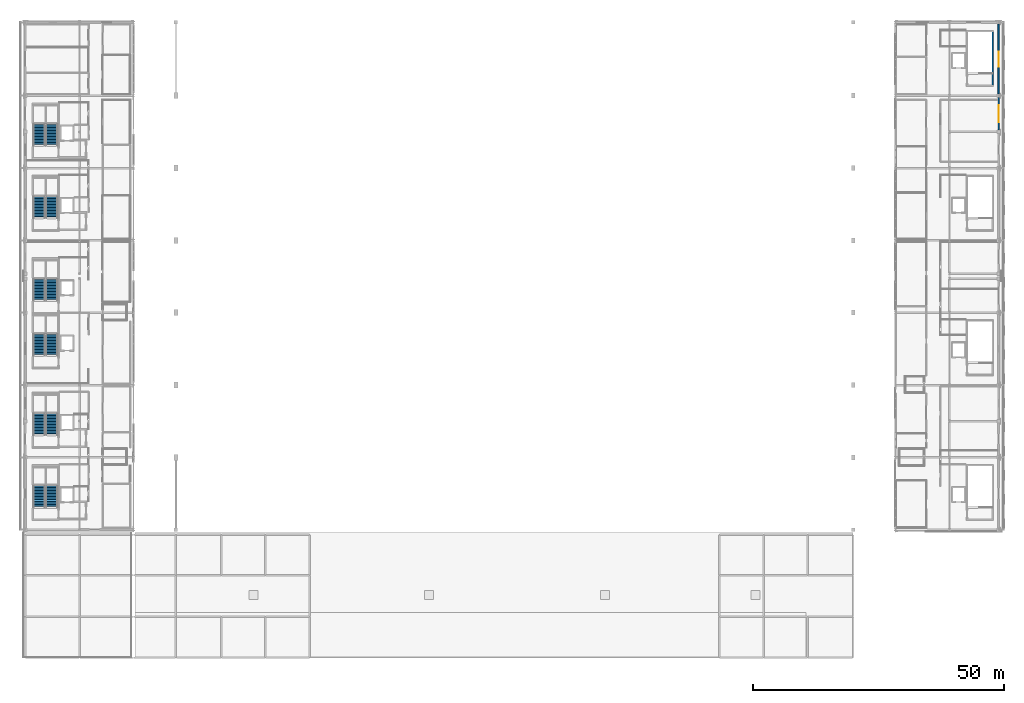
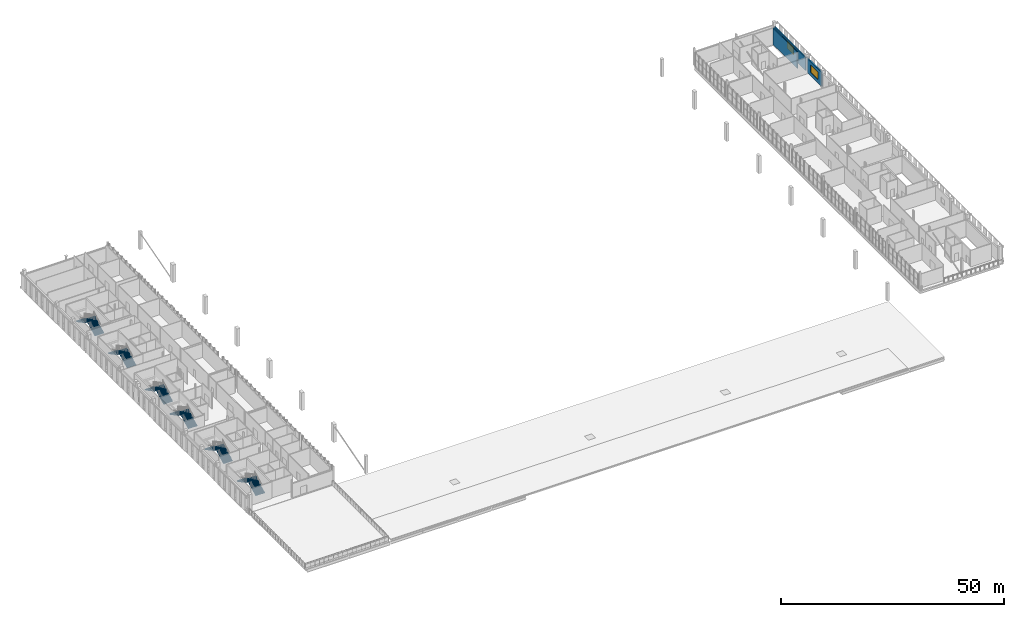
# One storey, part 39 of 51: 12 stair flights, 3 walls, 2 windows, 2 openings, 6 elements without a shape of their own.
"""IFC4 building model written with IfcOpenShell, lengths in metres."""

import ifcopenshell
import ifcopenshell.guid

model = None  # the IFC model being written
_history = None  # IfcOwnerHistory: only IFC2X3 demands one
_inside = {}  # id of a spatial element -> (the spatial element, [elements in it])
_under = {}  # id of a project, library or spatial element -> (it, [spatial elements below it])
_declared = {}  # id of a project -> (the project, [libraries it declares])
_typed = {}  # id of a type object -> (the type object, [elements of that type])
_made_of = {}  # id of a material, layer set ... -> (it, [elements and type objects made of it])


def new_model(schema):
    """Start an empty IFC model of exactly this schema.

    Asked for "IFC4X3", IfcOpenShell would pick the latest addendum, in which some entities
    have other attributes; the version numbers below select the first issue.
    IFC2X3 requires an IfcOwnerHistory on every rooted entity: one is made here for all.
    """
    global model, _history
    if schema == "IFC4X3":
        model = ifcopenshell.file(schema_version=(4, 3, 0, 0))
    else:
        model = ifcopenshell.file(schema=schema)
    _inside.clear()
    _under.clear()
    _declared.clear()
    _typed.clear()
    _made_of.clear()
    _history = None
    if model.schema == "IFC2X3":
        org = make("IfcOrganization", Name="unknown")
        user = make(
            "IfcPersonAndOrganization",
            ThePerson=make("IfcPerson", FamilyName="unknown"),
            TheOrganization=org,
        )
        app = make(
            "IfcApplication",
            ApplicationDeveloper=org,
            Version="unknown",
            ApplicationFullName="unknown",
            ApplicationIdentifier="unknown",
        )
        _history = make(
            "IfcOwnerHistory",
            OwningUser=user,
            OwningApplication=app,
            ChangeAction="ADDED",
            CreationDate=0,
        )
    return model


def make(cls, **values):
    """One entity of the class cls with the attributes given. An attribute that is None is left unset."""
    return model.create_entity(
        cls, **{name: value for name, value in values.items() if value is not None}
    )


def rooted(cls, **values):
    """An entity with a GlobalId (a new one), such as an element, a storey or a relation."""
    return make(cls, GlobalId=ifcopenshell.guid.new(), OwnerHistory=_history, **values)


def si_unit(unit_type, name, prefix=None):
    """IfcSIUnit, for example si_unit("LENGTHUNIT", "METRE", prefix="MILLI")."""
    return make("IfcSIUnit", UnitType=unit_type, Prefix=prefix, Name=name)


def assignment(units):
    """IfcUnitAssignment: the units of a project."""
    return None if units is None else make("IfcUnitAssignment", Units=units)


def point(xyz):
    """IfcCartesianPoint."""
    return None if xyz is None else make("IfcCartesianPoint", Coordinates=xyz)


def direction(xyz):
    """IfcDirection."""
    return None if xyz is None else make("IfcDirection", DirectionRatios=xyz)


def frame(location, z_axis=None, x_axis=None):
    """IfcAxis2Placement3D, a coordinate frame: its origin and axes. An axis left out is left unset."""
    return make(
        "IfcAxis2Placement3D",
        Location=point(location),
        Axis=direction(z_axis),
        RefDirection=direction(x_axis),
    )


def frame_2d(location, x_axis=None):
    """IfcAxis2Placement2D, a coordinate frame in the plane: its origin and x axis."""
    return make(
        "IfcAxis2Placement2D", Location=point(location), RefDirection=direction(x_axis)
    )


def origin():
    """The frame at (0, 0, 0) with its axes left unset."""
    return frame((0.0, 0.0, 0.0))


def place(relative_to, where):
    """IfcLocalPlacement: puts the frame where relative to a parent placement (None: the world)."""
    return make(
        "IfcLocalPlacement", PlacementRelTo=relative_to, RelativePlacement=where
    )


def context(
    kind, dimensions, precision=None, world=None, true_north=None, identifier=None
):
    """IfcGeometricRepresentationContext, for example the 3D "Model" context."""
    return make(
        "IfcGeometricRepresentationContext",
        ContextIdentifier=identifier,
        ContextType=kind,
        CoordinateSpaceDimension=dimensions,
        Precision=precision,
        WorldCoordinateSystem=world,
        TrueNorth=true_north,
    )


def subcontext(parent, identifier, kind, view, scale=None):
    """IfcGeometricRepresentationSubContext, for example "Body" below "Model"."""
    return make(
        "IfcGeometricRepresentationSubContext",
        ContextIdentifier=identifier,
        ContextType=kind,
        ParentContext=parent,
        TargetScale=scale,
        TargetView=view,
    )


def project(units=None, contexts=None):
    """IfcProject with its units and contexts."""
    return rooted(
        "IfcProject",
        Name="project",
        RepresentationContexts=contexts,
        UnitsInContext=assignment(units),
    )


def spatial(cls, under=None, at=None, **own):
    """A site, building, storey or space (cls), placed at a placement, below another one or the project."""
    s = rooted(cls, ObjectPlacement=at, **own)
    if under is not None:
        _under.setdefault(under.id(), (under, []))[1].append(s)
    return s


def polyline(points):
    """IfcPolyline through the points."""
    return make("IfcPolyline", Points=[point(p) for p in points])


def profile(cls, at=None, kind="AREA", **sizes):
    """A parametric profile (cls). Its sizes go by their IFC names, for example OverallWidth=200.0."""
    return make(cls, ProfileType=kind, Position=at, **sizes)


def rectangle(**sizes):
    """IfcRectangleProfileDef."""
    return profile("IfcRectangleProfileDef", **sizes)


def outline(outer, holes=None, kind="AREA"):
    """IfcArbitraryClosedProfileDef: a profile drawn as a closed curve; with holes, ...WithVoids."""
    if holes is None:
        return make("IfcArbitraryClosedProfileDef", ProfileType=kind, OuterCurve=outer)
    return make(
        "IfcArbitraryProfileDefWithVoids",
        ProfileType=kind,
        OuterCurve=outer,
        InnerCurves=holes,
    )


def extrude(swept, where, along, depth):
    """IfcExtrudedAreaSolid: the profile swept, set in the frame where, extruded along a direction by depth."""
    return make(
        "IfcExtrudedAreaSolid",
        SweptArea=swept,
        Position=where,
        ExtrudedDirection=direction(along),
        Depth=depth,
    )


def shape(context_of_items, identifier, shape_type, items):
    """IfcShapeRepresentation: the items that make up one representation, for example the "Body"."""
    return make(
        "IfcShapeRepresentation",
        ContextOfItems=context_of_items,
        RepresentationIdentifier=identifier,
        RepresentationType=shape_type,
        Items=items,
    )


def material(Name=None, Category=None):
    """IfcMaterial."""
    return make("IfcMaterial", Name=Name, Category=Category)


def layer(
    of_material, thickness, ventilated=None, Name=None, Category=None, Priority=None
):
    """IfcMaterialLayer: one layer of a wall or slab, of a material (None: an air gap)."""
    return make(
        "IfcMaterialLayer",
        Material=of_material,
        LayerThickness=thickness,
        IsVentilated=ventilated,
        Name=Name,
        Category=Category,
        Priority=Priority,
    )


def layer_set(layers, Name=None):
    """IfcMaterialLayerSet."""
    return make("IfcMaterialLayerSet", MaterialLayers=layers, LayerSetName=Name)


def made_of(thing, what):
    """Note that an element or type object is made of a material, layer set ...; save() writes the relation."""
    if what is not None:
        _made_of.setdefault(what.id(), (what, []))[1].append(thing)
    return thing


def type_object(cls, material=None, **own):
    """A type object (cls), such as IfcWallType, which elements share."""
    return made_of(rooted(cls, **own), material)


def element(
    cls,
    number,
    at=None,
    inside=None,
    cuts=None,
    type_object=None,
    material=None,
    context=None,
    identifier="Body",
    shape_type=None,
    held_by="IfcProductDefinitionShape",
    body=None,
    shapes=None,
    **own,
):
    """One element of the class cls, such as IfcWall. Its Tag is "e" and its number.

    at: its placement. inside: the storey or other place that contains it. cuts: it is an
    opening in that element (IfcRelVoidsElement). A single representation is given by context,
    identifier, shape_type and body (its items); several are given by shapes. held_by: the class
    of the entity that holds the representations. save() writes the other relations.
    """
    e = rooted(cls, Tag="e%d" % number, ObjectPlacement=at, **own)
    if body is not None:
        shapes = [shape(context, identifier, shape_type, body)]
    if shapes is not None:
        e.Representation = make(held_by, Representations=shapes)
    if inside is not None:
        _inside.setdefault(inside.id(), (inside, []))[1].append(e)
    if cuts is not None:
        rooted(
            "IfcRelVoidsElement", RelatingBuildingElement=cuts, RelatedOpeningElement=e
        )
    if type_object is not None:
        _typed.setdefault(type_object.id(), (type_object, []))[1].append(e)
    return made_of(e, material)


def fill(opening, filler):
    """IfcRelFillsElement: the door or window that sits in an opening."""
    return rooted(
        "IfcRelFillsElement",
        RelatingOpeningElement=opening,
        RelatedBuildingElement=filler,
    )


def aggregate(whole, parts):
    """IfcRelAggregates: a whole, such as a stair, and the parts it consists of."""
    return rooted("IfcRelAggregates", RelatingObject=whole, RelatedObjects=parts)


def save(model, path):
    """Write the relations noted so far, then the file.

    IfcRelAggregates (storeys below a building ...), IfcRelContainedInSpatialStructure (elements
    in a storey), IfcRelDefinesByType, IfcRelAssociatesMaterial and IfcRelDeclares: one each for
    every whole, place, type object, material and project.
    """
    for whole, parts in _under.values():
        aggregate(whole, parts)
    for where, things in _inside.values():
        rooted(
            "IfcRelContainedInSpatialStructure",
            RelatedElements=things,
            RelatingStructure=where,
        )
    for kind, things in _typed.values():
        rooted("IfcRelDefinesByType", RelatedObjects=things, RelatingType=kind)
    for what, things in _made_of.values():
        rooted("IfcRelAssociatesMaterial", RelatedObjects=things, RelatingMaterial=what)
    for by, libraries in _declared.values():
        rooted("IfcRelDeclares", RelatingContext=by, RelatedDefinitions=libraries)
    model.write(path)


model = new_model("IFC4")

# Units and contexts
model_context = context("Model", 3, precision=1e-05, world=origin(), true_north=direction((0.0, 1.0)))
body_context = subcontext(model_context, "Body", "Model", "MODEL_VIEW")
ifc_project = project(units=[si_unit("LENGTHUNIT", "METRE"), si_unit("AREAUNIT", "SQUARE_METRE"), si_unit("VOLUMEUNIT", "CUBIC_METRE"), si_unit("PLANEANGLEUNIT", "RADIAN"), si_unit("MASSUNIT", "GRAM", prefix="KILO")], contexts=[model_context])

# Site, building, storey
site_placement = place(None, origin())
site = spatial("IfcSite", under=ifc_project, at=site_placement, CompositionType="ELEMENT")
building_placement = place(site_placement, origin())
building = spatial("IfcBuilding", under=site, at=building_placement, Name="Koshinbarg Plaza Stadium", CompositionType="ELEMENT")
storey_placement = place(building_placement, frame((0.0, 0.0, 24.60009765625)))
storey = spatial("IfcBuildingStorey", under=building, at=storey_placement, Name="L05", CompositionType="ELEMENT", Elevation=24.60009765625)

# Wall
ifc_material_1 = material(Name="Concrete C40/50", Category="concrete")
ifc_layer_1 = layer(ifc_material_1, 0.25)
ifc_layer_set_1 = layer_set([ifc_layer_1], Name="Concrete C40/50")
wall_type_1 = type_object("IfcWallType", Name="WL-CORE-250", PredefinedType="SHEAR", material=ifc_layer_set_1)
wall_1_placement = place(storey_placement, frame((217.195068359375, 113.875, 0.0), z_axis=(0.0, 0.0, 1.0), x_axis=(0.0, 1.0, 0.0)))
element("IfcWall", 1, at=wall_1_placement, inside=storey, type_object=wall_type_1, Name="L05 core stair shear wall C10-right IWL-L05-0257", PredefinedType="SHEAR", context=body_context, shape_type="SweptSolid", body=[
    extrude(rectangle(XDim=10.85009765625, YDim=0.25, at=frame_2d((5.425048828125, 0.0))), origin(), (0.0, 0.0, 1.0), 4.5),
])

# Wall, opening, window
ifc_material_2 = material(Name="Terracotta-ochre mineral plaster insulated wall", Category="masonry")
ifc_layer_2 = layer(ifc_material_2, 0.280029296875)
ifc_layer_set_2 = layer_set([ifc_layer_2], Name="Terracotta-ochre mineral plaster insulated wall")
wall_type_2 = type_object("IfcWallType", Name="WL-EXT-280", PredefinedType="SOLIDWALL", material=ifc_layer_set_2)
wall_2_placement = place(storey_placement, frame((218.39990234375, 126.155029296875, 0.0), z_axis=(0.0, 0.0, 1.0), x_axis=(0.0, -1.0, 0.0)))
wall_2 = element("IfcWall", 2, at=wall_2_placement, inside=storey, type_object=wall_type_2, Name="L05 exterior envelope wall EWL-L05-0236", PredefinedType="SOLIDWALL", context=body_context, shape_type="SweptSolid", body=[
    extrude(rectangle(XDim=13.909912109375, YDim=0.280029296875, at=frame_2d((6.955078125, 0.0))), origin(), (0.0, 0.0, 1.0), 3.579833984375),
])
opening_1_placement = place(wall_2_placement, frame((5.455078125, 0.0, 0.89990234375)))
opening_1 = element("IfcOpeningElement", 3, at=opening_1_placement, cuts=wall_2, Name="Opening WN17", PredefinedType="OPENING", context=body_context, shape_type="SweptSolid", body=[
    extrude(rectangle(XDim=3.0, YDim=2.10009765625, at=frame_2d((1.5, 1.050048828125))), frame((0.0, 0.14990234375, 0.0), z_axis=(0.0, -1.0, 0.0), x_axis=(1.0, 0.0, 0.0)), (0.0, 0.0, 1.0), 0.300048828125),
])
ifc_material_3 = material(Name="Solar-control double glazing in thermally broken aluminium frame", Category="aluminium")
window_type_1 = type_object("IfcWindowType", Name="WN-FAC-17", PartitioningType="DOUBLE_PANEL_VERTICAL", PredefinedType="WINDOW", material=ifc_material_3)
window_1_placement = place(opening_1_placement, origin())
window_1 = element("IfcWindow", 4, at=window_1_placement, inside=storey, type_object=window_type_1, Name="L05 facade window 0168", OverallHeight=2.10009765625, OverallWidth=3.0, PartitioningType="SINGLE_PANEL", PredefinedType="WINDOW", context=body_context, shape_type="SweptSolid", body=[
    extrude(rectangle(XDim=3.0, YDim=2.10009765625, at=frame_2d((1.5, 1.050048828125))), frame((0.0, 0.030029296875, 0.0), z_axis=(0.0, -1.0, 0.0), x_axis=(1.0, 0.0, 0.0)), (0.0, 0.0, 1.0), 0.06005859375),
])
fill(opening_1, window_1)

ifc_material_4 = material(Name="Off-white mineral plaster insulated wall", Category="masonry")
ifc_layer_3 = layer(ifc_material_4, 0.300048828125)
ifc_layer_set_3 = layer_set([ifc_layer_3], Name="Off-white mineral plaster insulated wall")
wall_type_3 = type_object("IfcWallType", Name="WL-EXT-300", PredefinedType="SOLIDWALL", material=ifc_layer_set_3)
wall_3_placement = place(storey_placement, frame((218.39990234375, 111.554931640625, 0.0), z_axis=(0.0, 0.0, 1.0), x_axis=(0.0, -1.0, 0.0)))
wall_3 = element("IfcWall", 5, at=wall_3_placement, inside=storey, type_object=wall_type_3, Name="L05 exterior envelope wall EWL-L05-0237", PredefinedType="SOLIDWALL", context=body_context, shape_type="SweptSolid", body=[
    extrude(rectangle(XDim=6.510009765625, YDim=0.300048828125, at=frame_2d((3.2548828125, 0.0))), origin(), (0.0, 0.0, 1.0), 3.8798828125),
])
opening_2_placement = place(wall_3_placement, frame((1.554931640625, 0.0, 0.89990234375)))
opening_2 = element("IfcOpeningElement", 6, at=opening_2_placement, cuts=wall_3, Name="Opening WN18", PredefinedType="OPENING", context=body_context, shape_type="SweptSolid", body=[
    extrude(rectangle(XDim=3.39990234375, YDim=2.10009765625, at=frame_2d((1.699951171875, 1.050048828125))), frame((0.0, 0.159912109375, 0.0), z_axis=(0.0, -1.0, 0.0), x_axis=(1.0, 0.0, 0.0)), (0.0, 0.0, 1.0), 0.320068359375),
])
window_type_2 = type_object("IfcWindowType", Name="WN-FAC-18", PartitioningType="DOUBLE_PANEL_VERTICAL", PredefinedType="WINDOW", material=ifc_material_3)
window_2_placement = place(opening_2_placement, origin())
window_2 = element("IfcWindow", 7, at=window_2_placement, inside=storey, type_object=window_type_2, Name="L05 facade window 0169", OverallHeight=2.10009765625, OverallWidth=3.39990234375, PartitioningType="SINGLE_PANEL", PredefinedType="WINDOW", context=body_context, shape_type="SweptSolid", body=[
    extrude(rectangle(XDim=3.39990234375, YDim=2.10009765625, at=frame_2d((1.699951171875, 1.050048828125))), frame((0.0, 0.030029296875, 0.0), z_axis=(0.0, -1.0, 0.0), x_axis=(1.0, 0.0, 0.0)), (0.0, 0.0, 1.0), 0.06005859375),
])
fill(opening_2, window_2)

# Stair, stair flights
ifc_material_5 = material(Name="Concrete C35/45", Category="concrete")
stair_type = type_object("IfcStairType", Name="ST-CORE-48", PredefinedType="HALF_TURN_STAIR", material=ifc_material_5)
stair_1_placement = place(storey_placement, origin())
stair_1 = element("IfcStair", 8, at=stair_1_placement, inside=storey, type_object=stair_type, Name="L05 Protected Exit Stair C01", PredefinedType="HALF_TURN_STAIR")
stair_flight_type = type_object("IfcStairFlightType", Name="SFL-CORE-48", PredefinedType="STRAIGHT", material=ifc_material_5)
stair_flight_1_placement = place(storey_placement, frame((29.889892578125, 29.9599609375, 0.0), z_axis=(0.0, 0.0, 1.0), x_axis=(0.0, 1.0, 0.0)))
stair_flight_1 = element("IfcStairFlight", 9, at=stair_flight_1_placement, type_object=stair_flight_type, Name="L05 Protected Exit Stair C01 flight 011", NumberOfRisers=15, NumberOfTreads=14, PredefinedType="STRAIGHT", RiserHeight=0.16, TreadLength=0.3, context=body_context, shape_type="SweptSolid", body=[
    extrude(outline(polyline([(0.0, 0.0), (0.0, 0.159912109375), (0.300048828125, 0.159912109375), (0.300048828125, 0.320068359375), (0.60009765625, 0.320068359375), (0.60009765625, 0.47998046875), (0.89990234375, 0.47998046875), (0.89990234375, 0.639892578125), (1.199951171875, 0.639892578125), (1.199951171875, 0.800048828125), (1.5, 0.800048828125), (1.5, 0.9599609375), (1.800048828125, 0.9599609375), (1.800048828125, 1.1201171875), (2.10009765625, 1.1201171875), (2.10009765625, 1.280029296875), (2.39990234375, 1.280029296875), (2.39990234375, 1.43994140625), (2.699951171875, 1.43994140625), (2.699951171875, 1.60009765625), (3.0, 1.60009765625), (3.0, 1.760009765625), (3.300048828125, 1.760009765625), (3.300048828125, 1.919921875), (3.60009765625, 1.919921875), (3.60009765625, 2.080078125), (3.89990234375, 2.080078125), (3.89990234375, 2.239990234375), (4.199951171875, 2.239990234375), (4.199951171875, 2.39990234375), (4.199951171875, 2.070068359375), (0.318603515625, 0.0), (0.0, 0.0)])), frame((0.0, 1.18017578125, 0.0), z_axis=(0.0, -1.0, 0.0), x_axis=(1.0, 0.0, 0.0)), (0.0, 0.0, 1.0), 2.360107421875),
])
stair_flight_2_placement = place(storey_placement, frame((27.3798828125, 34.159912109375, 2.39990234375), z_axis=(0.0, 0.0, 1.0), x_axis=(0.0, -1.0, 0.0)))
stair_flight_2 = element("IfcStairFlight", 10, at=stair_flight_2_placement, type_object=stair_flight_type, Name="L05 Protected Exit Stair C01 flight 012", NumberOfRisers=15, NumberOfTreads=14, PredefinedType="STRAIGHT", RiserHeight=0.16, TreadLength=0.3, context=body_context, shape_type="SweptSolid", body=[
    extrude(outline(polyline([(0.0, 0.0), (0.0, 0.159912109375), (0.300048828125, 0.159912109375), (0.300048828125, 0.320068359375), (0.60009765625, 0.320068359375), (0.60009765625, 0.47998046875), (0.89990234375, 0.47998046875), (0.89990234375, 0.639892578125), (1.199951171875, 0.639892578125), (1.199951171875, 0.800048828125), (1.5, 0.800048828125), (1.5, 0.9599609375), (1.800048828125, 0.9599609375), (1.800048828125, 1.1201171875), (2.10009765625, 1.1201171875), (2.10009765625, 1.280029296875), (2.39990234375, 1.280029296875), (2.39990234375, 1.43994140625), (2.699951171875, 1.43994140625), (2.699951171875, 1.60009765625), (3.0, 1.60009765625), (3.0, 1.760009765625), (3.300048828125, 1.760009765625), (3.300048828125, 1.919921875), (3.60009765625, 1.919921875), (3.60009765625, 2.080078125), (3.89990234375, 2.080078125), (3.89990234375, 2.239990234375), (4.199951171875, 2.239990234375), (4.199951171875, 2.39990234375), (4.199951171875, 2.070068359375), (0.318603515625, 0.0), (0.0, 0.0)])), frame((0.0, 1.18017578125, 0.0), z_axis=(0.0, -1.0, 0.0), x_axis=(1.0, 0.0, 0.0)), (0.0, 0.0, 1.0), 2.360107421875),
])
aggregate(stair_1, [stair_flight_1, stair_flight_2])

stair_2_placement = place(storey_placement, origin())
stair_2 = element("IfcStair", 11, at=stair_2_placement, inside=storey, type_object=stair_type, Name="L05 Protected Exit Stair C02", PredefinedType="HALF_TURN_STAIR")
stair_flight_3_placement = place(storey_placement, frame((29.889892578125, 44.360107421875, 0.0), z_axis=(0.0, 0.0, 1.0), x_axis=(0.0, 1.0, 0.0)))
stair_flight_3 = element("IfcStairFlight", 12, at=stair_flight_3_placement, type_object=stair_flight_type, Name="L05 Protected Exit Stair C02 flight 023", NumberOfRisers=15, NumberOfTreads=14, PredefinedType="STRAIGHT", RiserHeight=0.16, TreadLength=0.3, context=body_context, shape_type="SweptSolid", body=[
    extrude(outline(polyline([(0.0, 0.0), (0.0, 0.159912109375), (0.300048828125, 0.159912109375), (0.300048828125, 0.320068359375), (0.60009765625, 0.320068359375), (0.60009765625, 0.47998046875), (0.89990234375, 0.47998046875), (0.89990234375, 0.639892578125), (1.199951171875, 0.639892578125), (1.199951171875, 0.800048828125), (1.5, 0.800048828125), (1.5, 0.9599609375), (1.800048828125, 0.9599609375), (1.800048828125, 1.1201171875), (2.10009765625, 1.1201171875), (2.10009765625, 1.280029296875), (2.39990234375, 1.280029296875), (2.39990234375, 1.43994140625), (2.699951171875, 1.43994140625), (2.699951171875, 1.60009765625), (3.0, 1.60009765625), (3.0, 1.760009765625), (3.300048828125, 1.760009765625), (3.300048828125, 1.919921875), (3.60009765625, 1.919921875), (3.60009765625, 2.080078125), (3.89990234375, 2.080078125), (3.89990234375, 2.239990234375), (4.199951171875, 2.239990234375), (4.199951171875, 2.39990234375), (4.199951171875, 2.070068359375), (0.318603515625, 0.0), (0.0, 0.0)])), frame((0.0, 1.18017578125, 0.0), z_axis=(0.0, -1.0, 0.0), x_axis=(1.0, 0.0, 0.0)), (0.0, 0.0, 1.0), 2.360107421875),
])
stair_flight_4_placement = place(storey_placement, frame((27.3798828125, 48.56005859375, 2.39990234375), z_axis=(0.0, 0.0, 1.0), x_axis=(0.0, -1.0, 0.0)))
stair_flight_4 = element("IfcStairFlight", 13, at=stair_flight_4_placement, type_object=stair_flight_type, Name="L05 Protected Exit Stair C02 flight 024", NumberOfRisers=15, NumberOfTreads=14, PredefinedType="STRAIGHT", RiserHeight=0.16, TreadLength=0.3, context=body_context, shape_type="SweptSolid", body=[
    extrude(outline(polyline([(0.0, 0.0), (0.0, 0.159912109375), (0.300048828125, 0.159912109375), (0.300048828125, 0.320068359375), (0.60009765625, 0.320068359375), (0.60009765625, 0.47998046875), (0.89990234375, 0.47998046875), (0.89990234375, 0.639892578125), (1.199951171875, 0.639892578125), (1.199951171875, 0.800048828125), (1.5, 0.800048828125), (1.5, 0.9599609375), (1.800048828125, 0.9599609375), (1.800048828125, 1.1201171875), (2.10009765625, 1.1201171875), (2.10009765625, 1.280029296875), (2.39990234375, 1.280029296875), (2.39990234375, 1.43994140625), (2.699951171875, 1.43994140625), (2.699951171875, 1.60009765625), (3.0, 1.60009765625), (3.0, 1.760009765625), (3.300048828125, 1.760009765625), (3.300048828125, 1.919921875), (3.60009765625, 1.919921875), (3.60009765625, 2.080078125), (3.89990234375, 2.080078125), (3.89990234375, 2.239990234375), (4.199951171875, 2.239990234375), (4.199951171875, 2.39990234375), (4.199951171875, 2.070068359375), (0.318603515625, 0.0), (0.0, 0.0)])), frame((0.0, 1.18017578125, 0.0), z_axis=(0.0, -1.0, 0.0), x_axis=(1.0, 0.0, 0.0)), (0.0, 0.0, 1.0), 2.360107421875),
])
aggregate(stair_2, [stair_flight_3, stair_flight_4])

stair_3_placement = place(storey_placement, origin())
stair_3 = element("IfcStair", 14, at=stair_3_placement, inside=storey, type_object=stair_type, Name="L05 Protected Exit Stair C03", PredefinedType="HALF_TURN_STAIR")
stair_flight_5_placement = place(storey_placement, frame((29.889892578125, 60.159912109375, 0.0), z_axis=(0.0, 0.0, 1.0), x_axis=(0.0, 1.0, 0.0)))
stair_flight_5 = element("IfcStairFlight", 15, at=stair_flight_5_placement, type_object=stair_flight_type, Name="L05 Protected Exit Stair C03 flight 035", NumberOfRisers=15, NumberOfTreads=14, PredefinedType="STRAIGHT", RiserHeight=0.16, TreadLength=0.3, context=body_context, shape_type="SweptSolid", body=[
    extrude(outline(polyline([(0.0, 0.0), (0.0, 0.159912109375), (0.300048828125, 0.159912109375), (0.300048828125, 0.320068359375), (0.60009765625, 0.320068359375), (0.60009765625, 0.47998046875), (0.89990234375, 0.47998046875), (0.89990234375, 0.639892578125), (1.199951171875, 0.639892578125), (1.199951171875, 0.800048828125), (1.5, 0.800048828125), (1.5, 0.9599609375), (1.800048828125, 0.9599609375), (1.800048828125, 1.1201171875), (2.10009765625, 1.1201171875), (2.10009765625, 1.280029296875), (2.39990234375, 1.280029296875), (2.39990234375, 1.43994140625), (2.699951171875, 1.43994140625), (2.699951171875, 1.60009765625), (3.0, 1.60009765625), (3.0, 1.760009765625), (3.300048828125, 1.760009765625), (3.300048828125, 1.919921875), (3.60009765625, 1.919921875), (3.60009765625, 2.080078125), (3.89990234375, 2.080078125), (3.89990234375, 2.239990234375), (4.199951171875, 2.239990234375), (4.199951171875, 2.39990234375), (4.199951171875, 2.070068359375), (0.318603515625, 0.0), (0.0, 0.0)])), frame((0.0, 1.18017578125, 0.0), z_axis=(0.0, -1.0, 0.0), x_axis=(1.0, 0.0, 0.0)), (0.0, 0.0, 1.0), 2.360107421875),
])
stair_flight_6_placement = place(storey_placement, frame((27.3798828125, 64.360107421875, 2.39990234375), z_axis=(0.0, 0.0, 1.0), x_axis=(0.0, -1.0, 0.0)))
stair_flight_6 = element("IfcStairFlight", 16, at=stair_flight_6_placement, type_object=stair_flight_type, Name="L05 Protected Exit Stair C03 flight 036", NumberOfRisers=15, NumberOfTreads=14, PredefinedType="STRAIGHT", RiserHeight=0.16, TreadLength=0.3, context=body_context, shape_type="SweptSolid", body=[
    extrude(outline(polyline([(0.0, 0.0), (0.0, 0.159912109375), (0.300048828125, 0.159912109375), (0.300048828125, 0.320068359375), (0.60009765625, 0.320068359375), (0.60009765625, 0.47998046875), (0.89990234375, 0.47998046875), (0.89990234375, 0.639892578125), (1.199951171875, 0.639892578125), (1.199951171875, 0.800048828125), (1.5, 0.800048828125), (1.5, 0.9599609375), (1.800048828125, 0.9599609375), (1.800048828125, 1.1201171875), (2.10009765625, 1.1201171875), (2.10009765625, 1.280029296875), (2.39990234375, 1.280029296875), (2.39990234375, 1.43994140625), (2.699951171875, 1.43994140625), (2.699951171875, 1.60009765625), (3.0, 1.60009765625), (3.0, 1.760009765625), (3.300048828125, 1.760009765625), (3.300048828125, 1.919921875), (3.60009765625, 1.919921875), (3.60009765625, 2.080078125), (3.89990234375, 2.080078125), (3.89990234375, 2.239990234375), (4.199951171875, 2.239990234375), (4.199951171875, 2.39990234375), (4.199951171875, 2.070068359375), (0.318603515625, 0.0), (0.0, 0.0)])), frame((0.0, 1.18017578125, 0.0), z_axis=(0.0, -1.0, 0.0), x_axis=(1.0, 0.0, 0.0)), (0.0, 0.0, 1.0), 2.360107421875),
])
aggregate(stair_3, [stair_flight_5, stair_flight_6])

stair_4_placement = place(storey_placement, origin())
stair_4 = element("IfcStair", 17, at=stair_4_placement, inside=storey, type_object=stair_type, Name="L05 Protected Exit Stair C04", PredefinedType="HALF_TURN_STAIR")
stair_flight_7_placement = place(storey_placement, frame((29.889892578125, 71.159912109375, 0.0), z_axis=(0.0, 0.0, 1.0), x_axis=(0.0, 1.0, 0.0)))
stair_flight_7 = element("IfcStairFlight", 18, at=stair_flight_7_placement, type_object=stair_flight_type, Name="L05 Protected Exit Stair C04 flight 047", NumberOfRisers=15, NumberOfTreads=14, PredefinedType="STRAIGHT", RiserHeight=0.16, TreadLength=0.3, context=body_context, shape_type="SweptSolid", body=[
    extrude(outline(polyline([(0.0, 0.0), (0.0, 0.159912109375), (0.300048828125, 0.159912109375), (0.300048828125, 0.320068359375), (0.60009765625, 0.320068359375), (0.60009765625, 0.47998046875), (0.89990234375, 0.47998046875), (0.89990234375, 0.639892578125), (1.199951171875, 0.639892578125), (1.199951171875, 0.800048828125), (1.5, 0.800048828125), (1.5, 0.9599609375), (1.800048828125, 0.9599609375), (1.800048828125, 1.1201171875), (2.10009765625, 1.1201171875), (2.10009765625, 1.280029296875), (2.39990234375, 1.280029296875), (2.39990234375, 1.43994140625), (2.699951171875, 1.43994140625), (2.699951171875, 1.60009765625), (3.0, 1.60009765625), (3.0, 1.760009765625), (3.300048828125, 1.760009765625), (3.300048828125, 1.919921875), (3.60009765625, 1.919921875), (3.60009765625, 2.080078125), (3.89990234375, 2.080078125), (3.89990234375, 2.239990234375), (4.199951171875, 2.239990234375), (4.199951171875, 2.39990234375), (4.199951171875, 2.070068359375), (0.318603515625, 0.0), (0.0, 0.0)])), frame((0.0, 1.18017578125, 0.0), z_axis=(0.0, -1.0, 0.0), x_axis=(1.0, 0.0, 0.0)), (0.0, 0.0, 1.0), 2.360107421875),
])
stair_flight_8_placement = place(storey_placement, frame((27.3798828125, 75.360107421875, 2.39990234375), z_axis=(0.0, 0.0, 1.0), x_axis=(0.0, -1.0, 0.0)))
stair_flight_8 = element("IfcStairFlight", 19, at=stair_flight_8_placement, type_object=stair_flight_type, Name="L05 Protected Exit Stair C04 flight 048", NumberOfRisers=15, NumberOfTreads=14, PredefinedType="STRAIGHT", RiserHeight=0.16, TreadLength=0.3, context=body_context, shape_type="SweptSolid", body=[
    extrude(outline(polyline([(0.0, 0.0), (0.0, 0.159912109375), (0.300048828125, 0.159912109375), (0.300048828125, 0.320068359375), (0.60009765625, 0.320068359375), (0.60009765625, 0.47998046875), (0.89990234375, 0.47998046875), (0.89990234375, 0.639892578125), (1.199951171875, 0.639892578125), (1.199951171875, 0.800048828125), (1.5, 0.800048828125), (1.5, 0.9599609375), (1.800048828125, 0.9599609375), (1.800048828125, 1.1201171875), (2.10009765625, 1.1201171875), (2.10009765625, 1.280029296875), (2.39990234375, 1.280029296875), (2.39990234375, 1.43994140625), (2.699951171875, 1.43994140625), (2.699951171875, 1.60009765625), (3.0, 1.60009765625), (3.0, 1.760009765625), (3.300048828125, 1.760009765625), (3.300048828125, 1.919921875), (3.60009765625, 1.919921875), (3.60009765625, 2.080078125), (3.89990234375, 2.080078125), (3.89990234375, 2.239990234375), (4.199951171875, 2.239990234375), (4.199951171875, 2.39990234375), (4.199951171875, 2.070068359375), (0.318603515625, 0.0), (0.0, 0.0)])), frame((0.0, 1.18017578125, 0.0), z_axis=(0.0, -1.0, 0.0), x_axis=(1.0, 0.0, 0.0)), (0.0, 0.0, 1.0), 2.360107421875),
])
aggregate(stair_4, [stair_flight_7, stair_flight_8])

stair_5_placement = place(storey_placement, origin())
stair_5 = element("IfcStair", 20, at=stair_5_placement, inside=storey, type_object=stair_type, Name="L05 Protected Exit Stair C05", PredefinedType="HALF_TURN_STAIR")
stair_flight_9_placement = place(storey_placement, frame((29.889892578125, 87.56005859375, 0.0), z_axis=(0.0, 0.0, 1.0), x_axis=(0.0, 1.0, 0.0)))
stair_flight_9 = element("IfcStairFlight", 21, at=stair_flight_9_placement, type_object=stair_flight_type, Name="L05 Protected Exit Stair C05 flight 059", NumberOfRisers=15, NumberOfTreads=14, PredefinedType="STRAIGHT", RiserHeight=0.16, TreadLength=0.3, context=body_context, shape_type="SweptSolid", body=[
    extrude(outline(polyline([(0.0, 0.0), (0.0, 0.159912109375), (0.300048828125, 0.159912109375), (0.300048828125, 0.320068359375), (0.60009765625, 0.320068359375), (0.60009765625, 0.47998046875), (0.89990234375, 0.47998046875), (0.89990234375, 0.639892578125), (1.199951171875, 0.639892578125), (1.199951171875, 0.800048828125), (1.5, 0.800048828125), (1.5, 0.9599609375), (1.800048828125, 0.9599609375), (1.800048828125, 1.1201171875), (2.10009765625, 1.1201171875), (2.10009765625, 1.280029296875), (2.39990234375, 1.280029296875), (2.39990234375, 1.43994140625), (2.699951171875, 1.43994140625), (2.699951171875, 1.60009765625), (3.0, 1.60009765625), (3.0, 1.760009765625), (3.300048828125, 1.760009765625), (3.300048828125, 1.919921875), (3.60009765625, 1.919921875), (3.60009765625, 2.080078125), (3.89990234375, 2.080078125), (3.89990234375, 2.239990234375), (4.199951171875, 2.239990234375), (4.199951171875, 2.39990234375), (4.199951171875, 2.070068359375), (0.318603515625, 0.0), (0.0, 0.0)])), frame((0.0, 1.18017578125, 0.0), z_axis=(0.0, -1.0, 0.0), x_axis=(1.0, 0.0, 0.0)), (0.0, 0.0, 1.0), 2.360107421875),
])
stair_flight_10_placement = place(storey_placement, frame((27.3798828125, 91.760009765625, 2.39990234375), z_axis=(0.0, 0.0, 1.0), x_axis=(0.0, -1.0, 0.0)))
stair_flight_10 = element("IfcStairFlight", 22, at=stair_flight_10_placement, type_object=stair_flight_type, Name="L05 Protected Exit Stair C05 flight 060", NumberOfRisers=15, NumberOfTreads=14, PredefinedType="STRAIGHT", RiserHeight=0.16, TreadLength=0.3, context=body_context, shape_type="SweptSolid", body=[
    extrude(outline(polyline([(0.0, 0.0), (0.0, 0.159912109375), (0.300048828125, 0.159912109375), (0.300048828125, 0.320068359375), (0.60009765625, 0.320068359375), (0.60009765625, 0.47998046875), (0.89990234375, 0.47998046875), (0.89990234375, 0.639892578125), (1.199951171875, 0.639892578125), (1.199951171875, 0.800048828125), (1.5, 0.800048828125), (1.5, 0.9599609375), (1.800048828125, 0.9599609375), (1.800048828125, 1.1201171875), (2.10009765625, 1.1201171875), (2.10009765625, 1.280029296875), (2.39990234375, 1.280029296875), (2.39990234375, 1.43994140625), (2.699951171875, 1.43994140625), (2.699951171875, 1.60009765625), (3.0, 1.60009765625), (3.0, 1.760009765625), (3.300048828125, 1.760009765625), (3.300048828125, 1.919921875), (3.60009765625, 1.919921875), (3.60009765625, 2.080078125), (3.89990234375, 2.080078125), (3.89990234375, 2.239990234375), (4.199951171875, 2.239990234375), (4.199951171875, 2.39990234375), (4.199951171875, 2.070068359375), (0.318603515625, 0.0), (0.0, 0.0)])), frame((0.0, 1.18017578125, 0.0), z_axis=(0.0, -1.0, 0.0), x_axis=(1.0, 0.0, 0.0)), (0.0, 0.0, 1.0), 2.360107421875),
])
aggregate(stair_5, [stair_flight_9, stair_flight_10])

stair_6_placement = place(storey_placement, origin())
stair_6 = element("IfcStair", 23, at=stair_6_placement, inside=storey, type_object=stair_type, Name="L05 Protected Exit Stair C06", PredefinedType="HALF_TURN_STAIR")
stair_flight_11_placement = place(storey_placement, frame((29.889892578125, 101.9599609375, 0.0), z_axis=(0.0, 0.0, 1.0), x_axis=(0.0, 1.0, 0.0)))
stair_flight_11 = element("IfcStairFlight", 24, at=stair_flight_11_placement, type_object=stair_flight_type, Name="L05 Protected Exit Stair C06 flight 071", NumberOfRisers=15, NumberOfTreads=14, PredefinedType="STRAIGHT", RiserHeight=0.16, TreadLength=0.3, context=body_context, shape_type="SweptSolid", body=[
    extrude(outline(polyline([(0.0, 0.0), (0.0, 0.159912109375), (0.300048828125, 0.159912109375), (0.300048828125, 0.320068359375), (0.60009765625, 0.320068359375), (0.60009765625, 0.47998046875), (0.89990234375, 0.47998046875), (0.89990234375, 0.639892578125), (1.199951171875, 0.639892578125), (1.199951171875, 0.800048828125), (1.5, 0.800048828125), (1.5, 0.9599609375), (1.800048828125, 0.9599609375), (1.800048828125, 1.1201171875), (2.10009765625, 1.1201171875), (2.10009765625, 1.280029296875), (2.39990234375, 1.280029296875), (2.39990234375, 1.43994140625), (2.699951171875, 1.43994140625), (2.699951171875, 1.60009765625), (3.0, 1.60009765625), (3.0, 1.760009765625), (3.300048828125, 1.760009765625), (3.300048828125, 1.919921875), (3.60009765625, 1.919921875), (3.60009765625, 2.080078125), (3.89990234375, 2.080078125), (3.89990234375, 2.239990234375), (4.199951171875, 2.239990234375), (4.199951171875, 2.39990234375), (4.199951171875, 2.070068359375), (0.318603515625, 0.0), (0.0, 0.0)])), frame((0.0, 1.18017578125, 0.0), z_axis=(0.0, -1.0, 0.0), x_axis=(1.0, 0.0, 0.0)), (0.0, 0.0, 1.0), 2.360107421875),
])
stair_flight_12_placement = place(storey_placement, frame((27.3798828125, 106.159912109375, 2.39990234375), z_axis=(0.0, 0.0, 1.0), x_axis=(0.0, -1.0, 0.0)))
stair_flight_12 = element("IfcStairFlight", 25, at=stair_flight_12_placement, type_object=stair_flight_type, Name="L05 Protected Exit Stair C06 flight 072", NumberOfRisers=15, NumberOfTreads=14, PredefinedType="STRAIGHT", RiserHeight=0.16, TreadLength=0.3, context=body_context, shape_type="SweptSolid", body=[
    extrude(outline(polyline([(0.0, 0.0), (0.0, 0.159912109375), (0.300048828125, 0.159912109375), (0.300048828125, 0.320068359375), (0.60009765625, 0.320068359375), (0.60009765625, 0.47998046875), (0.89990234375, 0.47998046875), (0.89990234375, 0.639892578125), (1.199951171875, 0.639892578125), (1.199951171875, 0.800048828125), (1.5, 0.800048828125), (1.5, 0.9599609375), (1.800048828125, 0.9599609375), (1.800048828125, 1.1201171875), (2.10009765625, 1.1201171875), (2.10009765625, 1.280029296875), (2.39990234375, 1.280029296875), (2.39990234375, 1.43994140625), (2.699951171875, 1.43994140625), (2.699951171875, 1.60009765625), (3.0, 1.60009765625), (3.0, 1.760009765625), (3.300048828125, 1.760009765625), (3.300048828125, 1.919921875), (3.60009765625, 1.919921875), (3.60009765625, 2.080078125), (3.89990234375, 2.080078125), (3.89990234375, 2.239990234375), (4.199951171875, 2.239990234375), (4.199951171875, 2.39990234375), (4.199951171875, 2.070068359375), (0.318603515625, 0.0), (0.0, 0.0)])), frame((0.0, 1.18017578125, 0.0), z_axis=(0.0, -1.0, 0.0), x_axis=(1.0, 0.0, 0.0)), (0.0, 0.0, 1.0), 2.360107421875),
])
aggregate(stair_6, [stair_flight_11, stair_flight_12])

save(model, "model.ifc")
